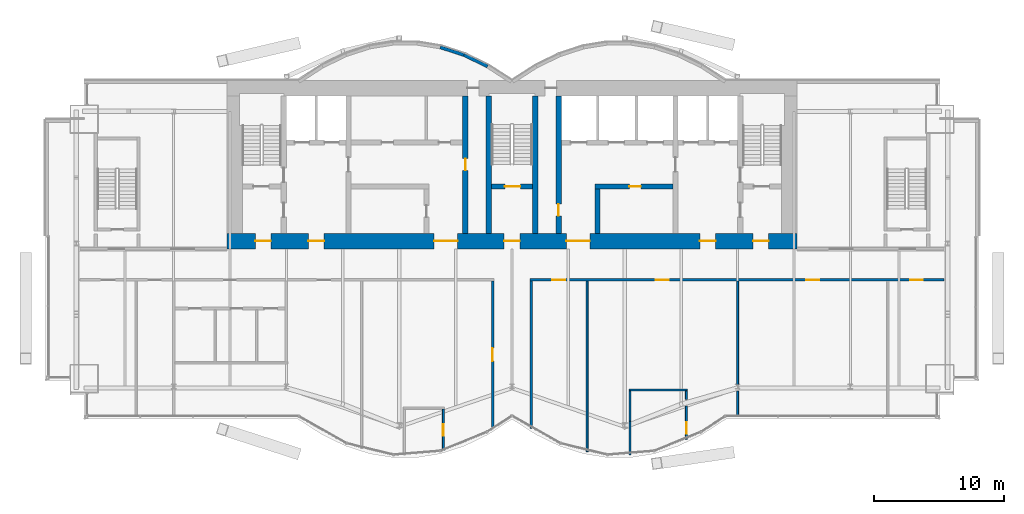
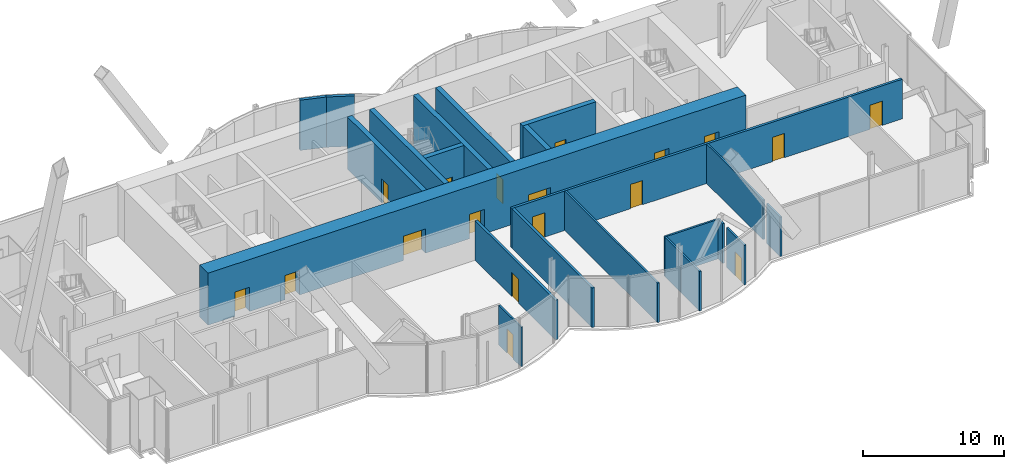
# One storey, part 17 of 22: 22 walls, 18 doors, 18 openings.
"""IFC4 building model written with IfcOpenShell, lengths in metres."""

from ifc_helpers import new_model, si_unit, direction, frame, frame_2d, origin, place, context, subcontext, project, spatial, rectangle, extrude, material, layer, layer_set, layer_usage, type_object, element, fill, save


model = new_model("IFC4")

# Units and contexts
model_context = context("Model", 3, precision=1e-05, world=origin(), true_north=direction((0.0, 1.0)))
body_context = subcontext(model_context, "Body", "Model", "MODEL_VIEW")
ifc_project = project(units=[si_unit("LENGTHUNIT", "METRE"), si_unit("AREAUNIT", "SQUARE_METRE"), si_unit("VOLUMEUNIT", "CUBIC_METRE"), si_unit("PLANEANGLEUNIT", "RADIAN"), si_unit("MASSUNIT", "GRAM", prefix="KILO")], contexts=[model_context])

# Site, building, storey
site_placement = place(None, origin())
site = spatial("IfcSite", under=ifc_project, at=site_placement, CompositionType="ELEMENT")
building_placement = place(site_placement, origin())
building = spatial("IfcBuilding", under=site, at=building_placement, Name="Bicima Exchange Tower", CompositionType="ELEMENT")
storey_placement = place(building_placement, frame((0.0, 0.0, 315.5)))
storey = spatial("IfcBuildingStorey", under=building, at=storey_placement, Name="L71", CompositionType="ELEMENT", Elevation=315.5)

# Wall, openings, doors
ifc_material_1 = material(Name="Gypsum board partition")
ifc_layer_1 = layer(ifc_material_1, 0.199951171875)
ifc_layer_set_1 = layer_set([ifc_layer_1], Name="Gypsum board partition")
wall_type_1 = type_object("IfcWallType", Name="Fire-rated gypsum partition 200 EI60", PredefinedType="PARTITIONING", material=ifc_layer_set_1)
wall_1_placement = place(storey_placement, frame((1.39990234375, -15.39990234375, 0.0), z_axis=(0.0, 0.0, 1.0), x_axis=(1.0, 0.0, 0.0)))
wall_1 = element("IfcWall", 1, at=wall_1_placement, inside=storey, type_object=wall_type_1, Name="partition wall 6", PredefinedType="PARTITIONING", context=body_context, shape_type="SweptSolid", body=[
    extrude(rectangle(XDim=31.940185546875, YDim=0.199951171875, at=frame_2d((15.97021484375, 0.0))), origin(), (0.0, 0.0, 1.0), 3.418212890625),
])
opening_1_placement = place(wall_1_placement, frame((1.699951171875, 0.0, 0.0)))
opening_1 = element("IfcOpeningElement", 2, at=opening_1_placement, cuts=wall_1, Name="Opening L71-015", PredefinedType="OPENING", context=body_context, shape_type="SweptSolid", body=[
    extrude(rectangle(XDim=1.0, YDim=2.10009765625, at=frame_2d((0.5, 1.050048828125))), frame((0.0, 0.11181640625, 0.0), z_axis=(0.0, -1.0, 0.0), x_axis=(1.0, 0.0, 0.0)), (0.0, 0.0, 1.0), 0.223876953125),
])
opening_2_placement = place(wall_1_placement, frame((9.699951171875, 0.0, 0.0)))
opening_2 = element("IfcOpeningElement", 3, at=opening_2_placement, cuts=wall_1, Name="Opening L71-016", PredefinedType="OPENING", context=body_context, shape_type="SweptSolid", body=[
    extrude(rectangle(XDim=1.0, YDim=2.10009765625, at=frame_2d((0.5, 1.050048828125))), frame((0.0, 0.11181640625, 0.0), z_axis=(0.0, -1.0, 0.0), x_axis=(1.0, 0.0, 0.0)), (0.0, 0.0, 1.0), 0.223876953125),
])
opening_3_placement = place(wall_1_placement, frame((21.300048828125, 0.0, 0.0)))
opening_3 = element("IfcOpeningElement", 4, at=opening_3_placement, cuts=wall_1, Name="Opening L71-017", PredefinedType="OPENING", context=body_context, shape_type="SweptSolid", body=[
    extrude(rectangle(XDim=1.0, YDim=2.10009765625, at=frame_2d((0.5, 1.050048828125))), frame((0.0, 0.11181640625, 0.0), z_axis=(0.0, -1.0, 0.0), x_axis=(1.0, 0.0, 0.0)), (0.0, 0.0, 1.0), 0.223876953125),
])
opening_4_placement = place(wall_1_placement, frame((29.300048828125, 0.0, 0.0)))
opening_4 = element("IfcOpeningElement", 5, at=opening_4_placement, cuts=wall_1, Name="Opening L71-018", PredefinedType="OPENING", context=body_context, shape_type="SweptSolid", body=[
    extrude(rectangle(XDim=1.0, YDim=2.10009765625, at=frame_2d((0.5, 1.050048828125))), frame((0.0, 0.11181640625, 0.0), z_axis=(0.0, -1.0, 0.0), x_axis=(1.0, 0.0, 0.0)), (0.0, 0.0, 1.0), 0.223876953125),
])
ifc_material_2 = material(Name="Steel fire door leaf", Category="steel")
door_type_1 = type_object("IfcDoorType", Name="Door 1000 swing FD30S", OperationType="SINGLE_SWING_LEFT", PredefinedType="DOOR", material=ifc_material_2)
door_1_placement = place(opening_1_placement, frame((1.0, 0.0, 0.0), z_axis=(0.0, 0.0, 1.0), x_axis=(-1.0, 0.0, 0.0)))
door_1 = element("IfcDoor", 6, at=door_1_placement, inside=storey, type_object=door_type_1, Name="Door", OperationType="SINGLE_SWING_RIGHT", OverallHeight=2.10009765625, OverallWidth=1.0, PredefinedType="DOOR", context=body_context, shape_type="SweptSolid", body=[
    extrude(rectangle(XDim=1.0, YDim=2.10009765625, at=frame_2d((0.5, 1.050048828125))), frame((0.0, 0.02490234375, 0.0), z_axis=(0.0, -1.0, 0.0), x_axis=(1.0, 0.0, 0.0)), (0.0, 0.0, 1.0), 0.050048828125),
])
fill(opening_1, door_1)
door_2_placement = place(opening_2_placement, frame((1.0, 0.0, 0.0), z_axis=(0.0, 0.0, 1.0), x_axis=(-1.0, 0.0, 0.0)))
door_2 = element("IfcDoor", 7, at=door_2_placement, inside=storey, type_object=door_type_1, Name="Door", OperationType="SINGLE_SWING_LEFT", OverallHeight=2.10009765625, OverallWidth=1.0, PredefinedType="DOOR", context=body_context, shape_type="SweptSolid", body=[
    extrude(rectangle(XDim=1.0, YDim=2.10009765625, at=frame_2d((0.5, 1.050048828125))), frame((0.0, 0.02490234375, 0.0), z_axis=(0.0, -1.0, 0.0), x_axis=(1.0, 0.0, 0.0)), (0.0, 0.0, 1.0), 0.050048828125),
])
fill(opening_2, door_2)
door_3_placement = place(opening_3_placement, frame((1.0, 0.0, 0.0), z_axis=(0.0, 0.0, 1.0), x_axis=(-1.0, 0.0, 0.0)))
door_3 = element("IfcDoor", 8, at=door_3_placement, inside=storey, type_object=door_type_1, Name="Door", OperationType="SINGLE_SWING_RIGHT", OverallHeight=2.10009765625, OverallWidth=1.0, PredefinedType="DOOR", context=body_context, shape_type="SweptSolid", body=[
    extrude(rectangle(XDim=1.0, YDim=2.10009765625, at=frame_2d((0.5, 1.050048828125))), frame((0.0, 0.02490234375, 0.0), z_axis=(0.0, -1.0, 0.0), x_axis=(1.0, 0.0, 0.0)), (0.0, 0.0, 1.0), 0.050048828125),
])
fill(opening_3, door_3)
door_4_placement = place(opening_4_placement, frame((1.0, 0.0, 0.0), z_axis=(0.0, 0.0, 1.0), x_axis=(-1.0, 0.0, 0.0)))
door_4 = element("IfcDoor", 9, at=door_4_placement, inside=storey, type_object=door_type_1, Name="Door", OperationType="SINGLE_SWING_RIGHT", OverallHeight=2.10009765625, OverallWidth=1.0, PredefinedType="DOOR", context=body_context, shape_type="SweptSolid", body=[
    extrude(rectangle(XDim=1.0, YDim=2.10009765625, at=frame_2d((0.5, 1.050048828125))), frame((0.0, 0.02490234375, 0.0), z_axis=(0.0, -1.0, 0.0), x_axis=(1.0, 0.0, 0.0)), (0.0, 0.0, 1.0), 0.050048828125),
])
fill(opening_4, door_4)

# Wall, opening, door
wall_2_placement = place(storey_placement, frame((-1.5, -26.860107421875, 0.0), z_axis=(0.0, 0.0, 1.0), x_axis=(0.0, 1.0, 0.0)))
wall_2 = element("IfcWall", 10, at=wall_2_placement, inside=storey, type_object=wall_type_1, Name="partition wall 24", PredefinedType="PARTITIONING", context=body_context, shape_type="SweptSolid", body=[
    extrude(rectangle(XDim=11.360107421875, YDim=0.199951171875, at=frame_2d((5.68017578125, 0.0))), origin(), (0.0, 0.0, 1.0), 3.418212890625),
])
opening_5_placement = place(wall_2_placement, frame((5.199951171875, 0.0, 0.0)))
opening_5 = element("IfcOpeningElement", 11, at=opening_5_placement, cuts=wall_2, Name="Opening L71-014", PredefinedType="OPENING", context=body_context, shape_type="SweptSolid", body=[
    extrude(rectangle(XDim=1.0, YDim=2.10009765625, at=frame_2d((0.5, 1.050048828125))), frame((0.0, 0.11181640625, 0.0), z_axis=(0.0, -1.0, 0.0), x_axis=(1.0, 0.0, 0.0)), (0.0, 0.0, 1.0), 0.223876953125),
])
door_5_placement = place(opening_5_placement, origin())
door_5 = element("IfcDoor", 12, at=door_5_placement, inside=storey, type_object=door_type_1, Name="Door", OperationType="SINGLE_SWING_LEFT", OverallHeight=2.10009765625, OverallWidth=1.0, PredefinedType="DOOR", context=body_context, shape_type="SweptSolid", body=[
    extrude(rectangle(XDim=1.0, YDim=2.10009765625, at=frame_2d((0.5, 1.050048828125))), frame((0.0, 0.02490234375, 0.0), z_axis=(0.0, -1.0, 0.0), x_axis=(1.0, 0.0, 0.0)), (0.0, 0.0, 1.0), 0.050048828125),
])
fill(opening_5, door_5)

# Walls
wall_3_placement = place(storey_placement, frame((1.5, -26.860107421875, 0.0), z_axis=(0.0, 0.0, 1.0), x_axis=(0.0, 1.0, 0.0)))
element("IfcWall", 13, at=wall_3_placement, inside=storey, type_object=wall_type_1, Name="partition wall 25", PredefinedType="PARTITIONING", context=body_context, shape_type="SweptSolid", body=[
    extrude(rectangle(XDim=11.360107421875, YDim=0.199951171875, at=frame_2d((5.68017578125, 0.0))), origin(), (0.0, 0.0, 1.0), 3.418212890625),
])
ifc_layer_2 = layer(ifc_material_1, 0.14990234375)
ifc_layer_set_2 = layer_set([ifc_layer_2], Name="Gypsum board partition")
wall_type_2 = type_object("IfcWallType", Name="Gypsum partition 150", PredefinedType="PARTITIONING", material=ifc_layer_set_2)
wall_4_placement = place(storey_placement, frame((9.02490234375, -23.889892578125, 0.0), z_axis=(0.0, 0.0, 1.0), x_axis=(1.0, 0.0, 0.0)))
element("IfcWall", 14, at=wall_4_placement, inside=storey, type_object=wall_type_2, Name="partition wall 2", PredefinedType="PARTITIONING", context=body_context, shape_type="SweptSolid", body=[
    extrude(rectangle(XDim=4.5, YDim=0.14990234375, at=frame_2d((2.25, 0.0))), origin(), (0.0, 0.0, 1.0), 3.418212890625),
])

# Wall, opening, door
wall_5_placement = place(storey_placement, frame((-5.300048828125, -28.52001953125, 0.0), z_axis=(0.0, 0.0, 1.0), x_axis=(0.0, 1.0, 0.0)))
wall_5 = element("IfcWall", 15, at=wall_5_placement, inside=storey, type_object=wall_type_2, Name="partition wall 23", PredefinedType="PARTITIONING", context=body_context, shape_type="SweptSolid", body=[
    extrude(rectangle(XDim=3.155029296875, YDim=0.14990234375, at=frame_2d((1.57763671875, 0.0))), origin(), (0.0, 0.0, 1.0), 3.418212890625),
])
opening_6_placement = place(wall_5_placement, frame((1.10009765625, 0.0, 0.0)))
opening_6 = element("IfcOpeningElement", 16, at=opening_6_placement, cuts=wall_5, Name="Opening L71-020", PredefinedType="OPENING", context=body_context, shape_type="SweptSolid", body=[
    extrude(rectangle(XDim=0.89990234375, YDim=2.10009765625, at=frame_2d((0.449951171875, 1.050048828125))), frame((0.0, 0.0869140625, 0.0), z_axis=(0.0, -1.0, 0.0), x_axis=(1.0, 0.0, 0.0)), (0.0, 0.0, 1.0), 0.173828125),
])
ifc_material_3 = material(Name="Timber door leaf", Category="wood")
door_type_2 = type_object("IfcDoorType", Name="Door 900 swing", OperationType="SINGLE_SWING_LEFT", PredefinedType="DOOR", material=ifc_material_3)
door_6_placement = place(opening_6_placement, origin())
door_6 = element("IfcDoor", 17, at=door_6_placement, inside=storey, type_object=door_type_2, Name="Door", OperationType="SINGLE_SWING_LEFT", OverallHeight=2.10009765625, OverallWidth=0.89990234375, PredefinedType="DOOR", context=body_context, shape_type="SweptSolid", body=[
    extrude(rectangle(XDim=0.89990234375, YDim=2.10009765625, at=frame_2d((0.449951171875, 1.050048828125))), frame((0.0, 0.02490234375, 0.0), z_axis=(0.0, -1.0, 0.0), x_axis=(1.0, 0.0, 0.0)), (0.0, 0.0, 1.0), 0.050048828125),
])
fill(opening_6, door_6)

# Walls
wall_6_placement = place(storey_placement, frame((5.800048828125, -28.639892578125, 0.0), z_axis=(0.0, 0.0, 1.0), x_axis=(0.0, 1.0, 0.0)))
element("IfcWall", 18, at=wall_6_placement, inside=storey, type_object=wall_type_2, Name="partition wall 26", PredefinedType="PARTITIONING", context=body_context, shape_type="SweptSolid", body=[
    extrude(rectangle(XDim=13.139892578125, YDim=0.14990234375, at=frame_2d((6.56982421875, 0.0))), origin(), (0.0, 0.0, 1.0), 3.418212890625),
])
wall_7_placement = place(storey_placement, frame((9.10009765625, -28.889892578125, 0.0), z_axis=(0.0, 0.0, 1.0), x_axis=(0.0, 1.0, 0.0)))
element("IfcWall", 19, at=wall_7_placement, inside=storey, type_object=wall_type_2, Name="partition wall 27", PredefinedType="PARTITIONING", context=body_context, shape_type="SweptSolid", body=[
    extrude(rectangle(XDim=2.599853515625, YDim=0.14990234375, at=frame_2d((1.2998046875, 0.0))), origin(), (0.0, 0.0, 1.0), 3.418212890625),
])
wall_8_placement = place(storey_placement, frame((9.10009765625, -26.2900390625, 0.0), z_axis=(0.0, 0.0, 1.0), x_axis=(0.0, 1.0, 0.0)))
element("IfcWall", 20, at=wall_8_placement, inside=storey, type_object=wall_type_2, Name="partition wall 28", PredefinedType="PARTITIONING", context=body_context, shape_type="SweptSolid", body=[
    extrude(rectangle(XDim=2.324951171875, YDim=0.14990234375, at=frame_2d((1.16259765625, 0.0))), origin(), (0.0, 0.0, 1.0), 3.418212890625),
])

# Wall, opening, door
wall_9_placement = place(storey_placement, frame((13.449951171875, -27.679931640625, 0.0), z_axis=(0.0, 0.0, 1.0), x_axis=(0.0, 1.0, 0.0)))
wall_9 = element("IfcWall", 21, at=wall_9_placement, inside=storey, type_object=wall_type_2, Name="partition wall 29", PredefinedType="PARTITIONING", context=body_context, shape_type="SweptSolid", body=[
    extrude(rectangle(XDim=2.5400390625, YDim=0.14990234375, at=frame_2d((1.27001953125, 0.0))), origin(), (0.0, 0.0, 1.0), 3.418212890625),
])
opening_7_placement = place(wall_9_placement, frame((0.39990234375, 0.0, 0.0)))
opening_7 = element("IfcOpeningElement", 22, at=opening_7_placement, cuts=wall_9, Name="Opening L71-019", PredefinedType="OPENING", context=body_context, shape_type="SweptSolid", body=[
    extrude(rectangle(XDim=0.89990234375, YDim=2.10009765625, at=frame_2d((0.449951171875, 1.050048828125))), frame((0.0, 0.0869140625, 0.0), z_axis=(0.0, -1.0, 0.0), x_axis=(1.0, 0.0, 0.0)), (0.0, 0.0, 1.0), 0.173828125),
])
door_7_placement = place(opening_7_placement, origin())
door_7 = element("IfcDoor", 23, at=door_7_placement, inside=storey, type_object=door_type_2, Name="Door", OperationType="SINGLE_SWING_LEFT", OverallHeight=2.10009765625, OverallWidth=0.89990234375, PredefinedType="DOOR", context=body_context, shape_type="SweptSolid", body=[
    extrude(rectangle(XDim=0.89990234375, YDim=2.10009765625, at=frame_2d((0.449951171875, 1.050048828125))), frame((0.0, 0.02490234375, 0.0), z_axis=(0.0, -1.0, 0.0), x_axis=(1.0, 0.0, 0.0)), (0.0, 0.0, 1.0), 0.050048828125),
])
fill(opening_7, door_7)

# Walls
wall_10_placement = place(storey_placement, frame((13.449951171875, -24.610107421875, 0.0), z_axis=(0.0, 0.0, 1.0), x_axis=(0.0, 1.0, 0.0)))
element("IfcWall", 24, at=wall_10_placement, inside=storey, type_object=wall_type_2, Name="partition wall 30", PredefinedType="PARTITIONING", context=body_context, shape_type="SweptSolid", body=[
    extrude(rectangle(XDim=0.64501953125, YDim=0.14990234375, at=frame_2d((0.322509765625, 0.0))), origin(), (0.0, 0.0, 1.0), 3.418212890625),
])
wall_11_placement = place(storey_placement, frame((17.39990234375, -25.929931640625, 0.0), z_axis=(0.0, 0.0, 1.0), x_axis=(0.0, 1.0, 0.0)))
element("IfcWall", 25, at=wall_11_placement, inside=storey, type_object=wall_type_2, Name="partition wall 31", PredefinedType="PARTITIONING", context=body_context, shape_type="SweptSolid", body=[
    extrude(rectangle(XDim=1.95263671875, YDim=0.14990234375, at=frame_2d((0.976318359375, 0.0))), origin(), (0.0, 0.0, 1.0), 3.418212890625),
])
wall_12_placement = place(storey_placement, frame((17.39990234375, -23.502685546875, 0.0), z_axis=(0.0, 0.0, 1.0), x_axis=(0.0, 1.0, 0.0)))
element("IfcWall", 26, at=wall_12_placement, inside=storey, type_object=wall_type_2, Name="partition wall 32", PredefinedType="PARTITIONING", context=body_context, shape_type="SweptSolid", body=[
    extrude(rectangle(XDim=8.002685546875, YDim=0.14990234375, at=frame_2d((4.00146484375, 0.0))), origin(), (0.0, 0.0, 1.0), 3.418212890625),
])

# Wall, openings, doors
ifc_material_4 = material(Name="Concrete C40/50", Category="concrete")
ifc_layer_3 = layer(ifc_material_4, 1.199951171875)
ifc_layer_set_3 = layer_set([ifc_layer_3], Name="Concrete C40/50")
wall_type_3 = type_object("IfcWallType", Name="RC core wall 1200 C40/50", PredefinedType="SHEAR", material=ifc_layer_set_3)
wall_13_placement = place(storey_placement, frame((-22.0, -12.39990234375, 0.0), z_axis=(0.0, 0.0, 1.0), x_axis=(1.0, 0.0, 0.0)))
wall_13 = element("IfcWall", 27, at=wall_13_placement, inside=storey, type_object=wall_type_3, Name="Core wall south", PredefinedType="SHEAR", context=body_context, shape_type="SweptSolid", body=[
    extrude(rectangle(XDim=44.0, YDim=1.199951171875, at=frame_2d((22.0, 0.0))), origin(), (0.0, 0.0, 1.0), 4.5),
])
opening_8_placement = place(wall_13_placement, frame((2.199951171875, 0.0, 0.0)))
opening_8 = element("IfcOpeningElement", 28, at=opening_8_placement, cuts=wall_13, Name="Opening L71-C18", PredefinedType="OPENING", context=body_context, shape_type="SweptSolid", body=[
    extrude(rectangle(XDim=1.199951171875, YDim=2.10009765625, at=frame_2d((0.60009765625, 1.050048828125))), frame((0.0, 0.61181640625, 0.0), z_axis=(0.0, -1.0, 0.0), x_axis=(1.0, 0.0, 0.0)), (0.0, 0.0, 1.0), 1.223876953125),
])
opening_9_placement = place(wall_13_placement, frame((21.39990234375, 0.0, 0.0)))
opening_9 = element("IfcOpeningElement", 29, at=opening_9_placement, cuts=wall_13, Name="Opening L71-C19", PredefinedType="OPENING", context=body_context, shape_type="SweptSolid", body=[
    extrude(rectangle(XDim=1.199951171875, YDim=2.10009765625, at=frame_2d((0.60009765625, 1.050048828125))), frame((0.0, 0.61181640625, 0.0), z_axis=(0.0, -1.0, 0.0), x_axis=(1.0, 0.0, 0.0)), (0.0, 0.0, 1.0), 1.223876953125),
])
opening_10_placement = place(wall_13_placement, frame((40.60009765625, 0.0, 0.0)))
opening_10 = element("IfcOpeningElement", 30, at=opening_10_placement, cuts=wall_13, Name="Opening L71-C20", PredefinedType="OPENING", context=body_context, shape_type="SweptSolid", body=[
    extrude(rectangle(XDim=1.199951171875, YDim=2.10009765625, at=frame_2d((0.60009765625, 1.050048828125))), frame((0.0, 0.61181640625, 0.0), z_axis=(0.0, -1.0, 0.0), x_axis=(1.0, 0.0, 0.0)), (0.0, 0.0, 1.0), 1.223876953125),
])
opening_11_placement = place(wall_13_placement, frame((16.0, 0.0, 0.0)))
opening_11 = element("IfcOpeningElement", 31, at=opening_11_placement, cuts=wall_13, Name="Opening L71-C21", PredefinedType="OPENING", context=body_context, shape_type="SweptSolid", body=[
    extrude(rectangle(XDim=1.800048828125, YDim=2.10009765625, at=frame_2d((0.89990234375, 1.050048828125))), frame((0.0, 0.61181640625, 0.0), z_axis=(0.0, -1.0, 0.0), x_axis=(1.0, 0.0, 0.0)), (0.0, 0.0, 1.0), 1.223876953125),
])
opening_12_placement = place(wall_13_placement, frame((6.300048828125, 0.0, 0.0)))
opening_12 = element("IfcOpeningElement", 32, at=opening_12_placement, cuts=wall_13, Name="Opening L71-C22", PredefinedType="OPENING", context=body_context, shape_type="SweptSolid", body=[
    extrude(rectangle(XDim=1.199951171875, YDim=2.10009765625, at=frame_2d((0.60009765625, 1.050048828125))), frame((0.0, 0.61181640625, 0.0), z_axis=(0.0, -1.0, 0.0), x_axis=(1.0, 0.0, 0.0)), (0.0, 0.0, 1.0), 1.223876953125),
])
opening_13_placement = place(wall_13_placement, frame((26.199951171875, 0.0, 0.0)))
opening_13 = element("IfcOpeningElement", 33, at=opening_13_placement, cuts=wall_13, Name="Opening L71-C23", PredefinedType="OPENING", context=body_context, shape_type="SweptSolid", body=[
    extrude(rectangle(XDim=1.800048828125, YDim=2.10009765625, at=frame_2d((0.89990234375, 1.050048828125))), frame((0.0, 0.61181640625, 0.0), z_axis=(0.0, -1.0, 0.0), x_axis=(1.0, 0.0, 0.0)), (0.0, 0.0, 1.0), 1.223876953125),
])
opening_14_placement = place(wall_13_placement, frame((36.5, 0.0, 0.0)))
opening_14 = element("IfcOpeningElement", 34, at=opening_14_placement, cuts=wall_13, Name="Opening L71-C24", PredefinedType="OPENING", context=body_context, shape_type="SweptSolid", body=[
    extrude(rectangle(XDim=1.199951171875, YDim=2.10009765625, at=frame_2d((0.60009765625, 1.050048828125))), frame((0.0, 0.61181640625, 0.0), z_axis=(0.0, -1.0, 0.0), x_axis=(1.0, 0.0, 0.0)), (0.0, 0.0, 1.0), 1.223876953125),
])
door_type_3 = type_object("IfcDoorType", Name="Door 1200 swing FD60S", OperationType="SINGLE_SWING_LEFT", PredefinedType="DOOR", material=ifc_material_2)
door_8_placement = place(opening_8_placement, frame((1.199951171875, 0.0, 0.0), z_axis=(0.0, 0.0, 1.0), x_axis=(-1.0, 0.0, 0.0)))
door_8 = element("IfcDoor", 35, at=door_8_placement, inside=storey, type_object=door_type_3, Name="Core door", OperationType="SINGLE_SWING_RIGHT", OverallHeight=2.10009765625, OverallWidth=1.199951171875, PredefinedType="DOOR", context=body_context, shape_type="SweptSolid", body=[
    extrude(rectangle(XDim=1.199951171875, YDim=2.10009765625, at=frame_2d((0.60009765625, 1.050048828125))), frame((0.0, 0.02490234375, 0.0), z_axis=(0.0, -1.0, 0.0), x_axis=(1.0, 0.0, 0.0)), (0.0, 0.0, 1.0), 0.050048828125),
])
fill(opening_8, door_8)
door_9_placement = place(opening_9_placement, frame((1.199951171875, 0.0, 0.0), z_axis=(0.0, 0.0, 1.0), x_axis=(-1.0, 0.0, 0.0)))
door_9 = element("IfcDoor", 36, at=door_9_placement, inside=storey, type_object=door_type_3, Name="Core door", OperationType="SINGLE_SWING_RIGHT", OverallHeight=2.10009765625, OverallWidth=1.199951171875, PredefinedType="DOOR", context=body_context, shape_type="SweptSolid", body=[
    extrude(rectangle(XDim=1.199951171875, YDim=2.10009765625, at=frame_2d((0.60009765625, 1.050048828125))), frame((0.0, 0.02490234375, 0.0), z_axis=(0.0, -1.0, 0.0), x_axis=(1.0, 0.0, 0.0)), (0.0, 0.0, 1.0), 0.050048828125),
])
fill(opening_9, door_9)
door_10_placement = place(opening_10_placement, frame((1.199951171875, 0.0, 0.0), z_axis=(0.0, 0.0, 1.0), x_axis=(-1.0, 0.0, 0.0)))
door_10 = element("IfcDoor", 37, at=door_10_placement, inside=storey, type_object=door_type_3, Name="Core door", OperationType="SINGLE_SWING_RIGHT", OverallHeight=2.10009765625, OverallWidth=1.199951171875, PredefinedType="DOOR", context=body_context, shape_type="SweptSolid", body=[
    extrude(rectangle(XDim=1.199951171875, YDim=2.10009765625, at=frame_2d((0.60009765625, 1.050048828125))), frame((0.0, 0.02490234375, 0.0), z_axis=(0.0, -1.0, 0.0), x_axis=(1.0, 0.0, 0.0)), (0.0, 0.0, 1.0), 0.050048828125),
])
fill(opening_10, door_10)
door_11_placement = place(opening_12_placement, frame((1.199951171875, 0.0, 0.0), z_axis=(0.0, 0.0, 1.0), x_axis=(-1.0, 0.0, 0.0)))
door_11 = element("IfcDoor", 38, at=door_11_placement, inside=storey, type_object=door_type_3, Name="Core door", OperationType="SINGLE_SWING_RIGHT", OverallHeight=2.10009765625, OverallWidth=1.199951171875, PredefinedType="DOOR", context=body_context, shape_type="SweptSolid", body=[
    extrude(rectangle(XDim=1.199951171875, YDim=2.10009765625, at=frame_2d((0.60009765625, 1.050048828125))), frame((0.0, 0.02490234375, 0.0), z_axis=(0.0, -1.0, 0.0), x_axis=(1.0, 0.0, 0.0)), (0.0, 0.0, 1.0), 0.050048828125),
])
fill(opening_12, door_11)
door_12_placement = place(opening_14_placement, frame((1.199951171875, 0.0, 0.0), z_axis=(0.0, 0.0, 1.0), x_axis=(-1.0, 0.0, 0.0)))
door_12 = element("IfcDoor", 39, at=door_12_placement, inside=storey, type_object=door_type_3, Name="Core door", OperationType="SINGLE_SWING_RIGHT", OverallHeight=2.10009765625, OverallWidth=1.199951171875, PredefinedType="DOOR", context=body_context, shape_type="SweptSolid", body=[
    extrude(rectangle(XDim=1.199951171875, YDim=2.10009765625, at=frame_2d((0.60009765625, 1.050048828125))), frame((0.0, 0.02490234375, 0.0), z_axis=(0.0, -1.0, 0.0), x_axis=(1.0, 0.0, 0.0)), (0.0, 0.0, 1.0), 0.050048828125),
])
fill(opening_14, door_12)
door_type_4 = type_object("IfcDoorType", Name="Door 1800 double swing FD30S", OperationType="DOUBLE_DOOR_SINGLE_SWING", PredefinedType="DOOR", material=ifc_material_2)
door_13_placement = place(opening_11_placement, origin())
door_13 = element("IfcDoor", 40, at=door_13_placement, inside=storey, type_object=door_type_4, Name="Core door", OperationType="SINGLE_SWING_LEFT", OverallHeight=2.10009765625, OverallWidth=1.800048828125, PredefinedType="DOOR", context=body_context, shape_type="SweptSolid", body=[
    extrude(rectangle(XDim=1.800048828125, YDim=2.10009765625, at=frame_2d((0.89990234375, 1.050048828125))), frame((0.0, 0.02490234375, 0.0), z_axis=(0.0, -1.0, 0.0), x_axis=(1.0, 0.0, 0.0)), (0.0, 0.0, 1.0), 0.050048828125),
])
fill(opening_11, door_13)
door_14_placement = place(opening_13_placement, origin())
door_14 = element("IfcDoor", 41, at=door_14_placement, inside=storey, type_object=door_type_4, Name="Core door", OperationType="SINGLE_SWING_LEFT", OverallHeight=2.10009765625, OverallWidth=1.800048828125, PredefinedType="DOOR", context=body_context, shape_type="SweptSolid", body=[
    extrude(rectangle(XDim=1.800048828125, YDim=2.10009765625, at=frame_2d((0.89990234375, 1.050048828125))), frame((0.0, 0.02490234375, 0.0), z_axis=(0.0, -1.0, 0.0), x_axis=(1.0, 0.0, 0.0)), (0.0, 0.0, 1.0), 0.050048828125),
])
fill(opening_13, door_14)

# Wall, opening, door
ifc_layer_4 = layer(ifc_material_4, 0.39990234375)
ifc_layer_set_4 = layer_set([ifc_layer_4], Name="Concrete C40/50")
wall_type_4 = type_object("IfcWallType", Name="RC core wall 400 C40/50", PredefinedType="SHEAR", material=ifc_layer_set_4)
wall_14_placement = place(storey_placement, frame((6.39990234375, -8.199951171875, 0.0), z_axis=(0.0, 0.0, 1.0), x_axis=(1.0, 0.0, 0.0)))
wall_14 = element("IfcWall", 42, at=wall_14_placement, inside=storey, type_object=wall_type_4, Name="shear wall 4", PredefinedType="SHEAR", context=body_context, shape_type="SweptSolid", body=[
    extrude(rectangle(XDim=6.0, YDim=0.39990234375, at=frame_2d((3.0, 0.0))), origin(), (0.0, 0.0, 1.0), 4.5),
])
opening_15_placement = place(wall_14_placement, frame((2.64990234375, 0.0, 0.0)))
opening_15 = element("IfcOpeningElement", 43, at=opening_15_placement, cuts=wall_14, Name="Opening L71-C15", PredefinedType="OPENING", context=body_context, shape_type="SweptSolid", body=[
    extrude(rectangle(XDim=0.89990234375, YDim=2.10009765625, at=frame_2d((0.449951171875, 1.050048828125))), frame((0.0, 0.2119140625, 0.0), z_axis=(0.0, -1.0, 0.0), x_axis=(1.0, 0.0, 0.0)), (0.0, 0.0, 1.0), 0.423828125),
])
door_type_5 = type_object("IfcDoorType", Name="Door 900 swing FD30S", OperationType="SINGLE_SWING_LEFT", PredefinedType="DOOR", material=ifc_material_2)
door_15_placement = place(opening_15_placement, frame((0.89990234375, 0.0, 0.0), z_axis=(0.0, 0.0, 1.0), x_axis=(-1.0, 0.0, 0.0)))
door_15 = element("IfcDoor", 44, at=door_15_placement, inside=storey, type_object=door_type_5, Name="Core door", OperationType="SINGLE_SWING_RIGHT", OverallHeight=2.10009765625, OverallWidth=0.89990234375, PredefinedType="DOOR", context=body_context, shape_type="SweptSolid", body=[
    extrude(rectangle(XDim=0.89990234375, YDim=2.10009765625, at=frame_2d((0.449951171875, 1.050048828125))), frame((0.0, 0.02490234375, 0.0), z_axis=(0.0, -1.0, 0.0), x_axis=(1.0, 0.0, 0.0)), (0.0, 0.0, 1.0), 0.050048828125),
])
fill(opening_15, door_15)

wall_15_placement = place(storey_placement, frame((-3.60009765625, -11.800048828125, 0.0), z_axis=(0.0, 0.0, 1.0), x_axis=(0.0, 1.0, 0.0)))
wall_15 = element("IfcWall", 45, at=wall_15_placement, inside=storey, type_object=wall_type_4, Name="shear wall 13", PredefinedType="SHEAR", context=body_context, shape_type="SweptSolid", body=[
    extrude(rectangle(XDim=10.60009765625, YDim=0.39990234375, at=frame_2d((5.300048828125, 0.0))), origin(), (0.0, 0.0, 1.0), 4.5),
])
opening_16_placement = place(wall_15_placement, frame((4.85009765625, 0.0, 0.0)))
opening_16 = element("IfcOpeningElement", 46, at=opening_16_placement, cuts=wall_15, Name="Opening L71-C10", PredefinedType="OPENING", context=body_context, shape_type="SweptSolid", body=[
    extrude(rectangle(XDim=0.89990234375, YDim=2.10009765625, at=frame_2d((0.449951171875, 1.050048828125))), frame((0.0, 0.2119140625, 0.0), z_axis=(0.0, -1.0, 0.0), x_axis=(1.0, 0.0, 0.0)), (0.0, 0.0, 1.0), 0.423828125),
])
door_16_placement = place(opening_16_placement, frame((0.89990234375, 0.0, 0.0), z_axis=(0.0, 0.0, 1.0), x_axis=(-1.0, 0.0, 0.0)))
door_16 = element("IfcDoor", 47, at=door_16_placement, inside=storey, type_object=door_type_5, Name="Core door", OperationType="SINGLE_SWING_LEFT", OverallHeight=2.10009765625, OverallWidth=0.89990234375, PredefinedType="DOOR", context=body_context, shape_type="SweptSolid", body=[
    extrude(rectangle(XDim=0.89990234375, YDim=2.10009765625, at=frame_2d((0.449951171875, 1.050048828125))), frame((0.0, 0.02490234375, 0.0), z_axis=(0.0, -1.0, 0.0), x_axis=(1.0, 0.0, 0.0)), (0.0, 0.0, 1.0), 0.050048828125),
])
fill(opening_16, door_16)

wall_16_placement = place(storey_placement, frame((3.60009765625, -11.800048828125, 0.0), z_axis=(0.0, 0.0, 1.0), x_axis=(0.0, 1.0, 0.0)))
wall_16 = element("IfcWall", 48, at=wall_16_placement, inside=storey, type_object=wall_type_4, Name="shear wall 16", PredefinedType="SHEAR", context=body_context, shape_type="SweptSolid", body=[
    extrude(rectangle(XDim=10.60009765625, YDim=0.39990234375, at=frame_2d((5.300048828125, 0.0))), origin(), (0.0, 0.0, 1.0), 4.5),
])
opening_17_placement = place(wall_16_placement, frame((1.35009765625, 0.0, 0.0)))
opening_17 = element("IfcOpeningElement", 49, at=opening_17_placement, cuts=wall_16, Name="Opening L71-C11", PredefinedType="OPENING", context=body_context, shape_type="SweptSolid", body=[
    extrude(rectangle(XDim=0.89990234375, YDim=2.10009765625, at=frame_2d((0.449951171875, 1.050048828125))), frame((0.0, 0.2119140625, 0.0), z_axis=(0.0, -1.0, 0.0), x_axis=(1.0, 0.0, 0.0)), (0.0, 0.0, 1.0), 0.423828125),
])
door_17_placement = place(opening_17_placement, origin())
door_17 = element("IfcDoor", 50, at=door_17_placement, inside=storey, type_object=door_type_5, Name="Core door", OperationType="SINGLE_SWING_LEFT", OverallHeight=2.10009765625, OverallWidth=0.89990234375, PredefinedType="DOOR", context=body_context, shape_type="SweptSolid", body=[
    extrude(rectangle(XDim=0.89990234375, YDim=2.10009765625, at=frame_2d((0.449951171875, 1.050048828125))), frame((0.0, 0.02490234375, 0.0), z_axis=(0.0, -1.0, 0.0), x_axis=(1.0, 0.0, 0.0)), (0.0, 0.0, 1.0), 0.050048828125),
])
fill(opening_17, door_17)

# Wall
wall_17_placement = place(storey_placement, frame((6.60009765625, -11.800048828125, 0.0), z_axis=(0.0, 0.0, 1.0), x_axis=(0.0, 1.0, 0.0)))
element("IfcWall", 51, at=wall_17_placement, inside=storey, type_object=wall_type_4, Name="shear wall 17", PredefinedType="SHEAR", context=body_context, shape_type="SweptSolid", body=[
    extrude(rectangle(XDim=3.400146484375, YDim=0.39990234375, at=frame_2d((1.7001953125, 0.0))), origin(), (0.0, 0.0, 1.0), 4.5),
])

# Wall, opening, door
ifc_material_5 = material(Name="Concrete C50/60", Category="concrete")
ifc_layer_5 = layer(ifc_material_5, 0.39990234375)
ifc_layer_set_5 = layer_set([ifc_layer_5], Name="Concrete C50/60")
wall_type_5 = type_object("IfcWallType", Name="RC core wall 400 C50/60", PredefinedType="SHEAR", material=ifc_layer_set_5)
wall_18_placement = place(storey_placement, frame((-1.60009765625, -8.199951171875, 0.0), z_axis=(0.0, 0.0, 1.0), x_axis=(1.0, 0.0, 0.0)))
wall_18 = element("IfcWall", 52, at=wall_18_placement, inside=storey, type_object=wall_type_5, Name="stair wall 3", PredefinedType="SHEAR", context=body_context, shape_type="SweptSolid", body=[
    extrude(rectangle(XDim=3.2001953125, YDim=0.39990234375, at=frame_2d((1.60009765625, 0.0))), origin(), (0.0, 0.0, 1.0), 4.5),
])
opening_18_placement = place(wall_18_placement, frame((1.050048828125, 0.0, 0.0)))
opening_18 = element("IfcOpeningElement", 53, at=opening_18_placement, cuts=wall_18, Name="Opening L71-C03", PredefinedType="OPENING", context=body_context, shape_type="SweptSolid", body=[
    extrude(rectangle(XDim=1.199951171875, YDim=2.10009765625, at=frame_2d((0.60009765625, 1.050048828125))), frame((0.0, 0.2119140625, 0.0), z_axis=(0.0, -1.0, 0.0), x_axis=(1.0, 0.0, 0.0)), (0.0, 0.0, 1.0), 0.423828125),
])
door_18_placement = place(opening_18_placement, origin())
door_18 = element("IfcDoor", 54, at=door_18_placement, inside=storey, type_object=door_type_3, Name="Core door", OperationType="SINGLE_SWING_LEFT", OverallHeight=2.10009765625, OverallWidth=1.199951171875, PredefinedType="DOOR", context=body_context, shape_type="SweptSolid", body=[
    extrude(rectangle(XDim=1.199951171875, YDim=2.10009765625, at=frame_2d((0.60009765625, 1.050048828125))), frame((0.0, 0.02490234375, 0.0), z_axis=(0.0, -1.0, 0.0), x_axis=(1.0, 0.0, 0.0)), (0.0, 0.0, 1.0), 0.050048828125),
])
fill(opening_18, door_18)

# Walls
for number, where, z_axis, x_axis, name in (
    (55, (-1.800048828125, -11.800048828125, 0.0), (0.0, 0.0, 1.0), (0.0, 1.0, 0.0), "stair wall 14"),
    (56, (1.800048828125, -11.800048828125, 0.0), (0.0, 0.0, 1.0), (0.0, 1.0, 0.0), "stair wall 15"),
):
    element("IfcWall", number, at=place(storey_placement, frame(where, z_axis=z_axis, x_axis=x_axis)), inside=storey, type_object=wall_type_5, Name=name, PredefinedType="SHEAR", context=body_context, shape_type="SweptSolid", body=[
        extrude(rectangle(XDim=10.60009765625, YDim=0.39990234375, at=frame_2d((5.300048828125, 0.0))), origin(), (0.0, 0.0, 1.0), 4.5),
    ])
ifc_layer_6 = layer(ifc_material_4, 0.25)
ifc_layer_set_6 = layer_set([ifc_layer_6], Name="Concrete C40/50")
ifc_layer_usage = layer_usage(ifc_layer_set_6, "AXIS2", "POSITIVE", -0.125)
wall_type_6 = type_object("IfcWallType", Name="Rear backup wall 250", PredefinedType="STANDARD", material=ifc_layer_set_6)
wall_19_placement = place(storey_placement, frame((-1.8876953125, 1.07275390625, 0.0), z_axis=(0.0, 0.0, 1.0), x_axis=(-0.89982408427, 0.436252928206, 0.0)))
element("IfcWall", 57, at=wall_19_placement, inside=storey, type_object=wall_type_6, material=ifc_layer_usage, Name="Rear backup wall L71 12", PredefinedType="STANDARD", context=body_context, shape_type="SweptSolid", body=[
    extrude(rectangle(XDim=2.03759765625, YDim=0.25, at=frame_2d((1.018798828125, 0.0))), origin(), (0.0, 0.0, 1.0), 4.35009765625),
])
wall_20_placement = place(storey_placement, frame((-3.705078125, 1.955078125, 0.0), z_axis=(0.0, 0.0, 1.0), x_axis=(-0.951495806175, 0.307661714928, 0.0)))
element("IfcWall", 58, at=wall_20_placement, inside=storey, type_object=wall_type_6, material=ifc_layer_usage, Name="Rear backup wall L71 13", PredefinedType="STANDARD", context=body_context, shape_type="SweptSolid", body=[
    extrude(rectangle(XDim=1.9267578125, YDim=0.25, at=frame_2d((0.96337890625, 0.0))), origin(), (0.0, 0.0, 1.0), 4.35009765625),
])

save(model, "model.ifc")
